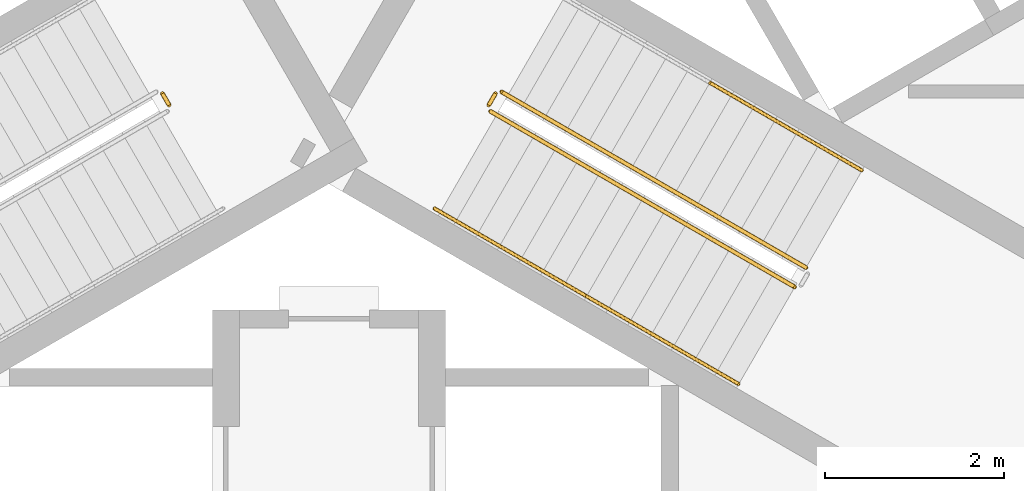
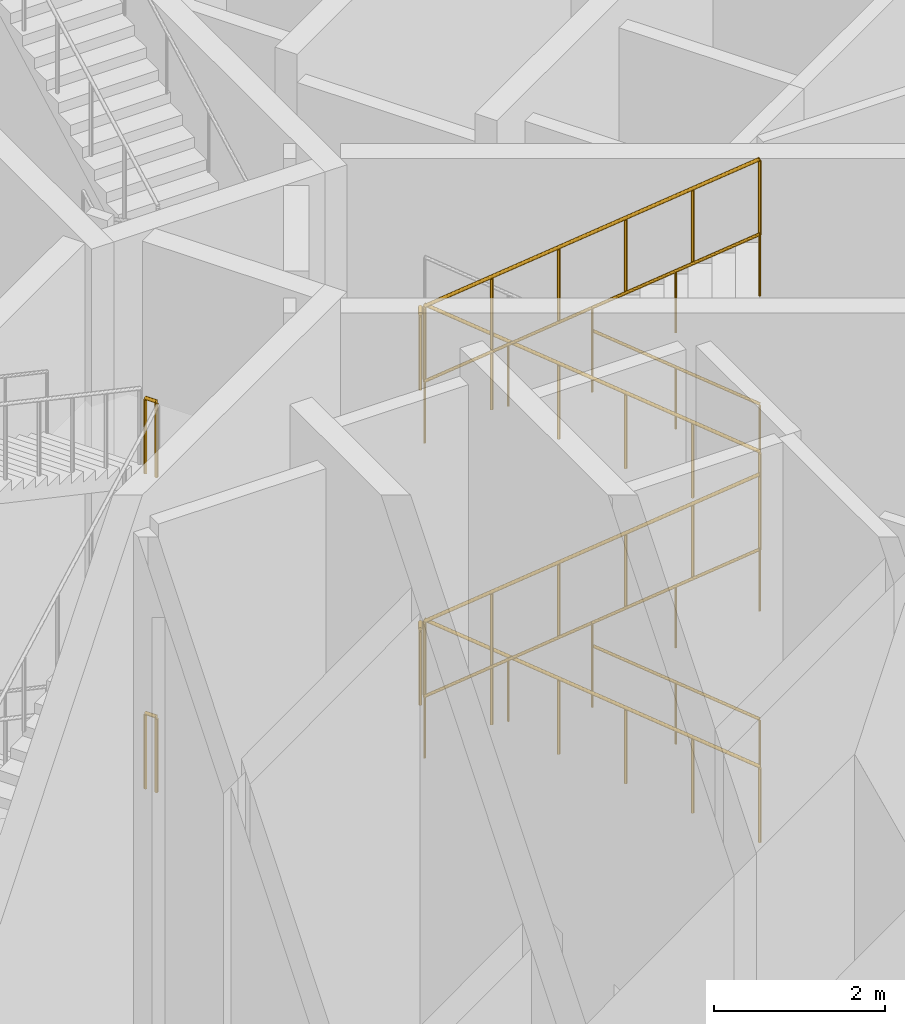
# One storey, part 21 of 26: 14 railings.
"""IFC4 building model written with IfcOpenShell, lengths in metres."""

from ifc_helpers import new_model, si_unit, direction, frame, origin, origin_2d, place, context, subcontext, project, spatial, circle, extrude, material, type_object, element, save


model = new_model("IFC4")

# Units and contexts
model_context = context("Model", 3, precision=1e-05, world=origin(), true_north=direction((0.0, 1.0)))
body_context = subcontext(model_context, "Body", "Model", "MODEL_VIEW")
ifc_project = project(units=[si_unit("LENGTHUNIT", "METRE"), si_unit("AREAUNIT", "SQUARE_METRE"), si_unit("VOLUMEUNIT", "CUBIC_METRE"), si_unit("PLANEANGLEUNIT", "RADIAN"), si_unit("MASSUNIT", "GRAM", prefix="KILO")], contexts=[model_context])

# Site, building, storey
site_placement = place(None, origin())
site = spatial("IfcSite", under=ifc_project, at=site_placement, CompositionType="ELEMENT")
building_placement = place(site_placement, origin())
building = spatial("IfcBuilding", under=site, at=building_placement, Name="Trine Commons Tower", CompositionType="ELEMENT")
storey_placement = place(building_placement, origin())
storey = spatial("IfcBuildingStorey", under=building, at=storey_placement, Name="L00", CompositionType="ELEMENT", Elevation=0.0)

# Railings
ifc_material_1 = material(Name="Stainless steel balustrade", Category="steel")
railing_type_1 = type_object("IfcRailingType", Name="Stair guard, steel balustrade 1100", PredefinedType="GUARDRAIL", material=ifc_material_1)
for number, where, name in (
    (1, (78.21826171875, 61.384765625, 2.25), "L00 ST2A stair guard 2"),
    (2, (78.21826171875, 61.384765625, 6.75), "L00 ST2A stair guard 6"),
):
    element("IfcRailing", number, at=place(storey_placement, frame(where)), inside=storey, type_object=railing_type_1, Name=name, PredefinedType="GUARDRAIL", context=body_context, shape_type="SweptSolid", body=[
        extrude(circle(Radius=0.02392578125, at=origin_2d()), frame((0.0, 0.0, 1.076171875), z_axis=(-0.499816412211, 0.866131372301, 0.0), x_axis=(-0.866131372301, -0.499816412211, 0.0)), (0.0, 0.0, 1.0), 0.14990234375),
        extrude(circle(Radius=0.02099609375, at=origin_2d()), origin(), (0.0, 0.0, 1.0), 1.052001953125),
        extrude(circle(Radius=0.02099609375, at=origin_2d()), frame((-0.074951171875, 0.1298828125, 0.0)), (0.0, 0.0, 1.0), 1.052001953125),
    ])
railing_1_placement = place(storey_placement, frame((85.31982421875, 59.572998046875, 0.14990234375)))
element("IfcRailing", 3, at=railing_1_placement, inside=storey, type_object=railing_type_1, Name="L00 ST3A stair guard 1", PredefinedType="GUARDRAIL", context=body_context, shape_type="SweptSolid", body=[
    extrude(circle(Radius=0.02392578125, at=origin_2d()), frame((0.0, 0.0, 1.076171875), z_axis=(-0.763374939589, 0.440731680332, 0.472243885677), x_axis=(-0.499997407846, -0.86602690036, 0.0)), (0.0, 0.0, 1.0), 4.447021484375),
    extrude(circle(Radius=0.02099609375, at=origin_2d()), origin(), (0.0, 0.0, 1.0), 1.052001953125),
    extrude(circle(Radius=0.02099609375, at=origin_2d()), frame((-0.678955078125, 0.39208984375, 0.419921875)), (0.0, 0.0, 1.0), 1.052001953125),
    extrude(circle(Radius=0.02099609375, at=origin_2d()), frame((-1.35791015625, 0.783935546875, 0.840087890625)), (0.0, 0.0, 1.0), 1.052001953125),
    extrude(circle(Radius=0.02099609375, at=origin_2d()), frame((-2.036865234375, 1.176025390625, 1.260009765625)), (0.0, 0.0, 1.0), 1.052001953125),
    extrude(circle(Radius=0.02099609375, at=origin_2d()), frame((-2.7158203125, 1.56787109375, 1.68017578125)), (0.0, 0.0, 1.0), 1.052001953125),
    extrude(circle(Radius=0.02099609375, at=origin_2d()), frame((-3.394775390625, 1.9599609375, 2.10009765625)), (0.0, 0.0, 1.0), 1.052001953125),
])
railing_2_placement = place(storey_placement, frame((81.856689453125, 61.5146484375, 2.25)))
element("IfcRailing", 4, at=railing_2_placement, inside=storey, type_object=railing_type_1, Name="L00 ST3A stair guard 2", PredefinedType="GUARDRAIL", context=body_context, shape_type="SweptSolid", body=[
    extrude(circle(Radius=0.02392578125, at=origin_2d()), frame((0.0, 0.0, 1.076171875), z_axis=(-0.499816412211, -0.866131372301, 0.0), x_axis=(0.866131372301, -0.499816412211, 0.0)), (0.0, 0.0, 1.0), 0.14990234375),
    extrude(circle(Radius=0.02099609375, at=origin_2d()), origin(), (0.0, 0.0, 1.0), 1.052001953125),
    extrude(circle(Radius=0.02099609375, at=origin_2d()), frame((-0.074951171875, -0.1298828125, 0.0)), (0.0, 0.0, 1.0), 1.052001953125),
])
railing_3_placement = place(storey_placement, frame((81.800048828125, 61.31640625, 2.39990234375)))
element("IfcRailing", 5, at=railing_3_placement, inside=storey, type_object=railing_type_1, Name="L00 ST3A stair guard 3", PredefinedType="GUARDRAIL", context=body_context, shape_type="SweptSolid", body=[
    extrude(circle(Radius=0.02392578125, at=origin_2d()), frame((0.0, 0.0, 1.076171875), z_axis=(0.763374939589, -0.440731680332, 0.472243885677), x_axis=(0.499997407846, 0.86602690036, 0.0)), (0.0, 0.0, 1.0), 4.447021484375),
    extrude(circle(Radius=0.02099609375, at=origin_2d()), origin(), (0.0, 0.0, 1.0), 1.052001953125),
    extrude(circle(Radius=0.02099609375, at=origin_2d()), frame((0.678955078125, -0.39208984375, 0.419921875)), (0.0, 0.0, 1.0), 1.052001953125),
    extrude(circle(Radius=0.02099609375, at=origin_2d()), frame((1.35791015625, -0.783935546875, 0.840087890625)), (0.0, 0.0, 1.0), 1.052001953125),
    extrude(circle(Radius=0.02099609375, at=origin_2d()), frame((2.036865234375, -1.176025390625, 1.260009765625)), (0.0, 0.0, 1.0), 1.052001953125),
    extrude(circle(Radius=0.02099609375, at=origin_2d()), frame((2.7158203125, -1.56787109375, 1.68017578125)), (0.0, 0.0, 1.0), 1.052001953125),
    extrude(circle(Radius=0.02099609375, at=origin_2d()), frame((3.394775390625, -1.9599609375, 2.10009765625)), (0.0, 0.0, 1.0), 1.052001953125),
])
railing_4_placement = place(storey_placement, frame((85.31982421875, 59.572998046875, 4.64990234375)))
element("IfcRailing", 6, at=railing_4_placement, inside=storey, type_object=railing_type_1, Name="L00 ST3A stair guard 5", PredefinedType="GUARDRAIL", context=body_context, shape_type="SweptSolid", body=[
    extrude(circle(Radius=0.02392578125, at=origin_2d()), frame((0.0, 0.0, 1.076171875), z_axis=(-0.763374939589, 0.440731680332, 0.472243885677), x_axis=(-0.499997407846, -0.86602690036, 0.0)), (0.0, 0.0, 1.0), 4.447021484375),
    extrude(circle(Radius=0.02099609375, at=origin_2d()), origin(), (0.0, 0.0, 1.0), 1.052001953125),
    extrude(circle(Radius=0.02099609375, at=origin_2d()), frame((-0.678955078125, 0.39208984375, 0.419921875)), (0.0, 0.0, 1.0), 1.052001953125),
    extrude(circle(Radius=0.02099609375, at=origin_2d()), frame((-1.35791015625, 0.783935546875, 0.840087890625)), (0.0, 0.0, 1.0), 1.052001953125),
    extrude(circle(Radius=0.02099609375, at=origin_2d()), frame((-2.036865234375, 1.176025390625, 1.260009765625)), (0.0, 0.0, 1.0), 1.052001953125),
    extrude(circle(Radius=0.02099609375, at=origin_2d()), frame((-2.7158203125, 1.56787109375, 1.68017578125)), (0.0, 0.0, 1.0), 1.052001953125),
    extrude(circle(Radius=0.02099609375, at=origin_2d()), frame((-3.394775390625, 1.9599609375, 2.10009765625)), (0.0, 0.0, 1.0), 1.052001953125),
])
railing_5_placement = place(storey_placement, frame((81.856689453125, 61.5146484375, 6.75)))
element("IfcRailing", 7, at=railing_5_placement, inside=storey, type_object=railing_type_1, Name="L00 ST3A stair guard 6", PredefinedType="GUARDRAIL", context=body_context, shape_type="SweptSolid", body=[
    extrude(circle(Radius=0.02392578125, at=origin_2d()), frame((0.0, 0.0, 1.076171875), z_axis=(-0.499816412211, -0.866131372301, 0.0), x_axis=(0.866131372301, -0.499816412211, 0.0)), (0.0, 0.0, 1.0), 0.14990234375),
    extrude(circle(Radius=0.02099609375, at=origin_2d()), origin(), (0.0, 0.0, 1.0), 1.052001953125),
    extrude(circle(Radius=0.02099609375, at=origin_2d()), frame((-0.074951171875, -0.1298828125, 0.0)), (0.0, 0.0, 1.0), 1.052001953125),
])
railing_6_placement = place(storey_placement, frame((81.800048828125, 61.31640625, 6.89990234375)))
element("IfcRailing", 8, at=railing_6_placement, inside=storey, type_object=railing_type_1, Name="L00 ST3A stair guard 7", PredefinedType="GUARDRAIL", context=body_context, shape_type="SweptSolid", body=[
    extrude(circle(Radius=0.02392578125, at=origin_2d()), frame((0.0, 0.0, 1.076171875), z_axis=(0.763374939589, -0.440731680332, 0.472243885677), x_axis=(0.499997407846, 0.86602690036, 0.0)), (0.0, 0.0, 1.0), 4.447021484375),
    extrude(circle(Radius=0.02099609375, at=origin_2d()), origin(), (0.0, 0.0, 1.0), 1.052001953125),
    extrude(circle(Radius=0.02099609375, at=origin_2d()), frame((0.678955078125, -0.39208984375, 0.419921875)), (0.0, 0.0, 1.0), 1.052001953125),
    extrude(circle(Radius=0.02099609375, at=origin_2d()), frame((1.35791015625, -0.783935546875, 0.840087890625)), (0.0, 0.0, 1.0), 1.052001953125),
    extrude(circle(Radius=0.02099609375, at=origin_2d()), frame((2.036865234375, -1.176025390625, 1.260009765625)), (0.0, 0.0, 1.0), 1.052001953125),
    extrude(circle(Radius=0.02099609375, at=origin_2d()), frame((2.7158203125, -1.56787109375, 1.68017578125)), (0.0, 0.0, 1.0), 1.052001953125),
    extrude(circle(Radius=0.02099609375, at=origin_2d()), frame((3.394775390625, -1.9599609375, 2.10009765625)), (0.0, 0.0, 1.0), 1.052001953125),
])
ifc_material_2 = material(Name="Stainless steel handrail", Category="steel")
railing_type_2 = type_object("IfcRailingType", Name="Stair handrail, steel 900", PredefinedType="HANDRAIL", material=ifc_material_2)
railing_7_placement = place(storey_placement, frame((85.94482421875, 60.655517578125, 0.14990234375)))
element("IfcRailing", 9, at=railing_7_placement, inside=storey, type_object=railing_type_2, Name="L00 ST3A stair handrail 1", PredefinedType="HANDRAIL", context=body_context, shape_type="SweptSolid", body=[
    extrude(circle(Radius=0.02099609375, at=origin_2d()), frame((0.0, 0.0, 0.87890625), z_axis=(-0.763397845365, 0.440713210311, 0.472224095054), x_axis=(-0.499970440388, -0.866042469362, 0.0)), (0.0, 0.0, 1.0), 2.2236328125),
    extrude(circle(Radius=0.01513671875, at=origin_2d()), origin(), (0.0, 0.0, 1.0), 0.85791015625),
    extrude(circle(Radius=0.01513671875, at=origin_2d()), frame((-0.8486328125, 0.489990234375, 0.52490234375)), (0.0, 0.0, 1.0), 0.85791015625),
    extrude(circle(Radius=0.01513671875, at=origin_2d()), frame((-1.697509765625, 0.97998046875, 1.050048828125)), (0.0, 0.0, 1.0), 0.85791015625),
])
railing_8_placement = place(storey_placement, frame((81.175048828125, 60.23388671875, 2.39990234375)))
element("IfcRailing", 10, at=railing_8_placement, inside=storey, type_object=railing_type_2, Name="L00 ST3A stair handrail 3", PredefinedType="HANDRAIL", context=body_context, shape_type="SweptSolid", body=[
    extrude(circle(Radius=0.02099609375, at=origin_2d()), frame((0.0, 0.0, 0.87890625), z_axis=(0.763352030933, -0.440750151347, 0.472263677365), x_axis=(0.500024377727, 0.866011328839, 0.0)), (0.0, 0.0, 1.0), 2.223388671875),
    extrude(circle(Radius=0.01513671875, at=origin_2d()), origin(), (0.0, 0.0, 1.0), 0.85791015625),
    extrude(circle(Radius=0.01513671875, at=origin_2d()), frame((0.8486328125, -0.489990234375, 0.52490234375)), (0.0, 0.0, 1.0), 0.85791015625),
    extrude(circle(Radius=0.01513671875, at=origin_2d()), frame((1.697265625, -0.97998046875, 1.050048828125)), (0.0, 0.0, 1.0), 0.85791015625),
])
railing_9_placement = place(storey_placement, frame((82.872314453125, 59.25390625, 3.449951171875)))
element("IfcRailing", 11, at=railing_9_placement, inside=storey, type_object=railing_type_2, Name="L00 ST3A stair handrail 4", PredefinedType="HANDRAIL", context=body_context, shape_type="SweptSolid", body=[
    extrude(circle(Radius=0.02099609375, at=origin_2d()), frame((0.0, 0.0, 0.87890625), z_axis=(0.763397845365, -0.440713210311, 0.472224095054), x_axis=(0.499970440388, 0.866042469362, 0.0)), (0.0, 0.0, 1.0), 2.2236328125),
    extrude(circle(Radius=0.01513671875, at=origin_2d()), origin(), (0.0, 0.0, 1.0), 0.85791015625),
    extrude(circle(Radius=0.01513671875, at=origin_2d()), frame((0.8486328125, -0.489990234375, 0.52490234375)), (0.0, 0.0, 1.0), 0.85791015625),
    extrude(circle(Radius=0.01513671875, at=origin_2d()), frame((1.697509765625, -0.97998046875, 1.050048828125)), (0.0, 0.0, 1.0), 0.85791015625),
])
railing_10_placement = place(storey_placement, frame((85.94482421875, 60.655517578125, 4.64990234375)))
element("IfcRailing", 12, at=railing_10_placement, inside=storey, type_object=railing_type_2, Name="L00 ST3A stair handrail 5", PredefinedType="HANDRAIL", context=body_context, shape_type="SweptSolid", body=[
    extrude(circle(Radius=0.02099609375, at=origin_2d()), frame((0.0, 0.0, 0.87890625), z_axis=(-0.763397845365, 0.440713210311, 0.472224095054), x_axis=(-0.499970440388, -0.866042469362, 0.0)), (0.0, 0.0, 1.0), 2.2236328125),
    extrude(circle(Radius=0.01513671875, at=origin_2d()), origin(), (0.0, 0.0, 1.0), 0.85791015625),
    extrude(circle(Radius=0.01513671875, at=origin_2d()), frame((-0.8486328125, 0.489990234375, 0.52490234375)), (0.0, 0.0, 1.0), 0.85791015625),
    extrude(circle(Radius=0.01513671875, at=origin_2d()), frame((-1.697509765625, 0.97998046875, 1.050048828125)), (0.0, 0.0, 1.0), 0.85791015625),
])
railing_11_placement = place(storey_placement, frame((81.175048828125, 60.23388671875, 6.89990234375)))
element("IfcRailing", 13, at=railing_11_placement, inside=storey, type_object=railing_type_2, Name="L00 ST3A stair handrail 7", PredefinedType="HANDRAIL", context=body_context, shape_type="SweptSolid", body=[
    extrude(circle(Radius=0.02099609375, at=origin_2d()), frame((0.0, 0.0, 0.87890625), z_axis=(0.763352030933, -0.440750151347, 0.472263677365), x_axis=(0.500024377727, 0.866011328839, 0.0)), (0.0, 0.0, 1.0), 2.223388671875),
    extrude(circle(Radius=0.01513671875, at=origin_2d()), origin(), (0.0, 0.0, 1.0), 0.85791015625),
    extrude(circle(Radius=0.01513671875, at=origin_2d()), frame((0.8486328125, -0.489990234375, 0.52490234375)), (0.0, 0.0, 1.0), 0.85791015625),
    extrude(circle(Radius=0.01513671875, at=origin_2d()), frame((1.697265625, -0.97998046875, 1.050048828125)), (0.0, 0.0, 1.0), 0.85791015625),
])
railing_12_placement = place(storey_placement, frame((82.872314453125, 59.25390625, 7.949951171875)))
element("IfcRailing", 14, at=railing_12_placement, inside=storey, type_object=railing_type_2, Name="L00 ST3A stair handrail 8", PredefinedType="HANDRAIL", context=body_context, shape_type="SweptSolid", body=[
    extrude(circle(Radius=0.02099609375, at=origin_2d()), frame((0.0, 0.0, 0.87890625), z_axis=(0.763397845365, -0.440713210311, 0.472224095054), x_axis=(0.499970440388, 0.866042469362, 0.0)), (0.0, 0.0, 1.0), 2.2236328125),
    extrude(circle(Radius=0.01513671875, at=origin_2d()), origin(), (0.0, 0.0, 1.0), 0.85791015625),
    extrude(circle(Radius=0.01513671875, at=origin_2d()), frame((0.8486328125, -0.489990234375, 0.52490234375)), (0.0, 0.0, 1.0), 0.85791015625),
    extrude(circle(Radius=0.01513671875, at=origin_2d()), frame((1.697509765625, -0.97998046875, 1.050048828125)), (0.0, 0.0, 1.0), 0.85791015625),
])

save(model, "model.ifc")
